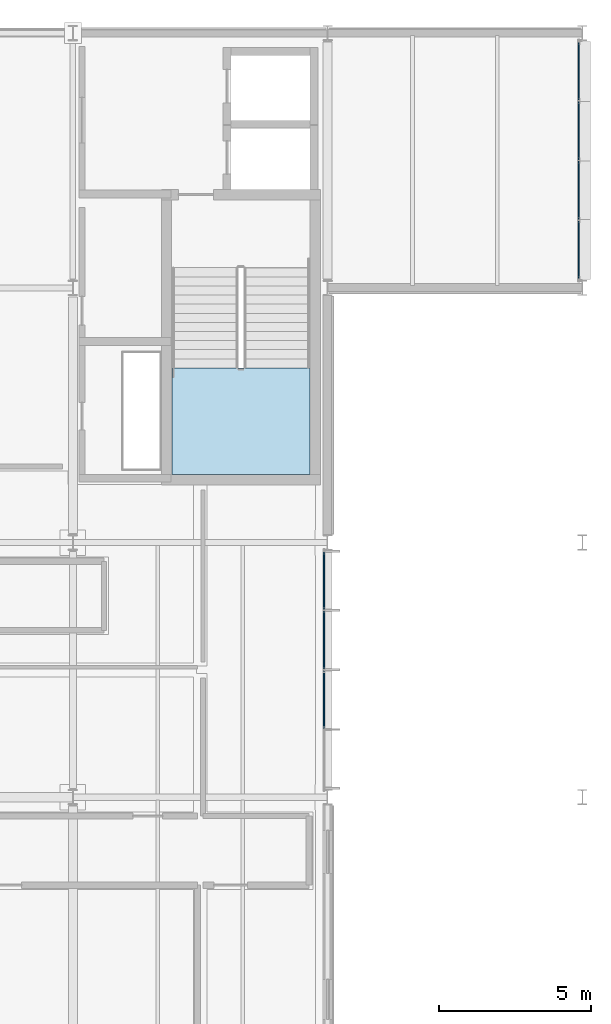
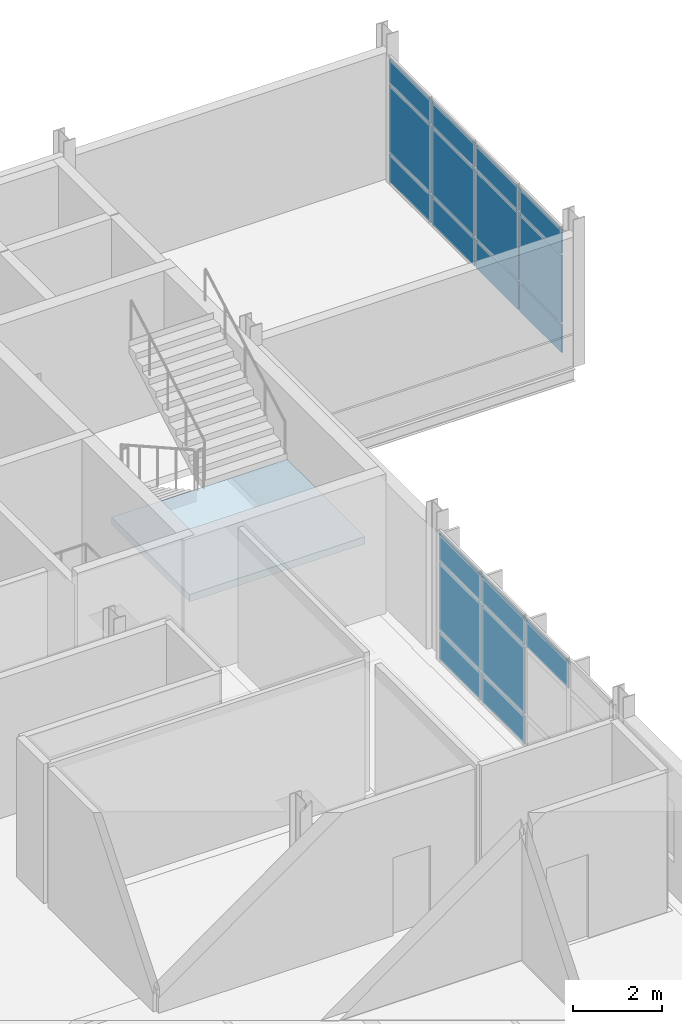
# One storey, part 117 of 151: 19 plates, 1 slab, 3 elements without a shape of their own.
"""IFC4 building model written with IfcOpenShell, lengths in metres."""

from ifc_helpers import new_model, si_unit, direction, frame, origin, origin_2d, place, context, subcontext, project, spatial, polyline, rectangle, outline, extrude, material, layer, layer_set, type_object, element, aggregate, save


model = new_model("IFC4")

# Units and contexts
model_context = context("Model", 3, precision=1e-05, world=origin(), true_north=direction((0.0, 1.0)))
body_context = subcontext(model_context, "Body", "Model", "MODEL_VIEW")
ifc_project = project(units=[si_unit("LENGTHUNIT", "METRE"), si_unit("AREAUNIT", "SQUARE_METRE"), si_unit("VOLUMEUNIT", "CUBIC_METRE"), si_unit("PLANEANGLEUNIT", "RADIAN"), si_unit("MASSUNIT", "GRAM", prefix="KILO")], contexts=[model_context])

# Site, building, storey
site_placement = place(None, origin())
site = spatial("IfcSite", under=ifc_project, at=site_placement, CompositionType="ELEMENT")
building_placement = place(site_placement, origin())
building = spatial("IfcBuilding", under=site, at=building_placement, Name="Mersafa Astral City Hall", CompositionType="ELEMENT")
storey_placement = place(building_placement, frame((0.0, 0.0, 9.89990234375)))
storey = spatial("IfcBuildingStorey", under=building, at=storey_placement, Name="L02", CompositionType="ELEMENT", Elevation=9.89990234375)

# Curtain wall, plates
ifc_material_1 = material(Name="Anodised bronze aluminium framing", Category="aluminium")
curtain_wall_type_1 = type_object("IfcCurtainWallType", Name="ENV-CW-1", PredefinedType="USERDEFINED", material=ifc_material_1)
curtain_wall_1_placement = place(storey_placement, origin())
curtain_wall_1 = element("IfcCurtainWall", 1, at=curtain_wall_1_placement, inside=storey, type_object=curtain_wall_type_1, Name="L02 Unitised solar curtain wall 126", ObjectType="UNITISED CURTAIN WALL", PredefinedType="USERDEFINED")
ifc_material_2 = material(Name="Solar control low-e double glazing", Category="glass")
ifc_layer_1 = layer(ifc_material_2, 0.035888671875, Name="Solar control low-e double glazing")
ifc_layer_set_1 = layer_set([ifc_layer_1], Name="Solar control low-e double glazing — ENV-CW-PNL-GLZ-3")
plate_type_1 = type_object("IfcPlateType", Name="ENV-CW-PNL-GLZ-3", PredefinedType="CURTAIN_PANEL", material=ifc_layer_set_1)
plate_1_placement = place(storey_placement, frame((176.280029296875, 104.015380859375, 2.7802734375), z_axis=(0.0, 0.0, 1.0), x_axis=(0.0, 1.0, 0.0)))
plate_1 = element("IfcPlate", 2, at=plate_1_placement, type_object=plate_type_1, Name="CW-1 panel 2.3", PredefinedType="CURTAIN_PANEL", context=body_context, shape_type="SweptSolid", body=[
    extrude(rectangle(XDim=1.908935546875, YDim=0.035888671875, at=origin_2d()), origin(), (0.0, 0.0, 1.0), 0.737060546875),
])
plate_2_placement = place(storey_placement, frame((176.280029296875, 105.984619140625, 0.05810546875), z_axis=(0.0, 0.0, 1.0), x_axis=(0.0, 1.0, 0.0)))
plate_2 = element("IfcPlate", 3, at=plate_2_placement, type_object=plate_type_1, Name="CW-1 panel 3.1", PredefinedType="CURTAIN_PANEL", context=body_context, shape_type="SweptSolid", body=[
    extrude(rectangle(XDim=1.908935546875, YDim=0.035888671875, at=origin_2d()), origin(), (0.0, 0.0, 1.0), 0.761962890625),
])
plate_3_placement = place(storey_placement, frame((176.280029296875, 105.984619140625, 0.8798828125), z_axis=(0.0, 0.0, 1.0), x_axis=(0.0, 1.0, 0.0)))
plate_3 = element("IfcPlate", 4, at=plate_3_placement, type_object=plate_type_1, Name="CW-1 panel 3.2", PredefinedType="CURTAIN_PANEL", context=body_context, shape_type="SweptSolid", body=[
    extrude(rectangle(XDim=1.908935546875, YDim=0.035888671875, at=origin_2d()), origin(), (0.0, 0.0, 1.0), 1.840087890625),
])
plate_4_placement = place(storey_placement, frame((176.280029296875, 105.984619140625, 2.7802734375), z_axis=(0.0, 0.0, 1.0), x_axis=(0.0, 1.0, 0.0)))
plate_4 = element("IfcPlate", 5, at=plate_4_placement, type_object=plate_type_1, Name="CW-1 panel 3.3", PredefinedType="CURTAIN_PANEL", context=body_context, shape_type="SweptSolid", body=[
    extrude(rectangle(XDim=1.908935546875, YDim=0.035888671875, at=origin_2d()), origin(), (0.0, 0.0, 1.0), 0.737060546875),
])
plate_5_placement = place(storey_placement, frame((176.280029296875, 107.9384765625, 0.05810546875), z_axis=(0.0, 0.0, 1.0), x_axis=(0.0, 1.0, 0.0)))
plate_5 = element("IfcPlate", 6, at=plate_5_placement, type_object=plate_type_1, Name="CW-1 panel 4.1", PredefinedType="CURTAIN_PANEL", context=body_context, shape_type="SweptSolid", body=[
    extrude(rectangle(XDim=1.87890625, YDim=0.035888671875, at=origin_2d()), origin(), (0.0, 0.0, 1.0), 0.761962890625),
])
plate_6_placement = place(storey_placement, frame((176.280029296875, 107.9384765625, 0.8798828125), z_axis=(0.0, 0.0, 1.0), x_axis=(0.0, 1.0, 0.0)))
plate_6 = element("IfcPlate", 7, at=plate_6_placement, type_object=plate_type_1, Name="CW-1 panel 4.2", PredefinedType="CURTAIN_PANEL", context=body_context, shape_type="SweptSolid", body=[
    extrude(rectangle(XDim=1.87890625, YDim=0.035888671875, at=origin_2d()), origin(), (0.0, 0.0, 1.0), 1.840087890625),
])
plate_7_placement = place(storey_placement, frame((176.280029296875, 107.9384765625, 2.7802734375), z_axis=(0.0, 0.0, 1.0), x_axis=(0.0, 1.0, 0.0)))
plate_7 = element("IfcPlate", 8, at=plate_7_placement, type_object=plate_type_1, Name="CW-1 panel 4.3", PredefinedType="CURTAIN_PANEL", context=body_context, shape_type="SweptSolid", body=[
    extrude(rectangle(XDim=1.87890625, YDim=0.035888671875, at=origin_2d()), origin(), (0.0, 0.0, 1.0), 0.737060546875),
])
aggregate(curtain_wall_1, [plate_1, plate_2, plate_3, plate_4, plate_5, plate_6, plate_7])

curtain_wall_type_2 = type_object("IfcCurtainWallType", Name="ENV-CW-2", PredefinedType="USERDEFINED", material=ifc_material_1)
curtain_wall_2_placement = place(storey_placement, origin())
curtain_wall_2 = element("IfcCurtainWall", 9, at=curtain_wall_2_placement, inside=storey, type_object=curtain_wall_type_2, Name="L02 Unitised solar curtain wall 127", ObjectType="UNITISED CURTAIN WALL", PredefinedType="USERDEFINED")
ifc_layer_2 = layer(ifc_material_2, 0.0400390625, Name="Solar control low-e double glazing")
ifc_layer_set_2 = layer_set([ifc_layer_2], Name="Solar control low-e double glazing — ENV-CW-PNL-GLZ-4")
plate_type_2 = type_object("IfcPlateType", Name="ENV-CW-PNL-GLZ-4", PredefinedType="CURTAIN_PANEL", material=ifc_layer_set_2)
plate_8_placement = place(storey_placement, frame((184.679931640625, 118.861572265625, 0.05810546875), z_axis=(0.0, 0.0, 1.0), x_axis=(0.0, 1.0, 0.0)))
plate_8 = element("IfcPlate", 10, at=plate_8_placement, type_object=plate_type_2, Name="CW-2 panel 1.1", PredefinedType="CURTAIN_PANEL", context=body_context, shape_type="SweptSolid", body=[
    extrude(rectangle(XDim=1.87890625, YDim=0.0400390625, at=origin_2d()), origin(), (0.0, 0.0, 1.0), 0.761962890625),
])
plate_9_placement = place(storey_placement, frame((184.679931640625, 118.861572265625, 0.8798828125), z_axis=(0.0, 0.0, 1.0), x_axis=(0.0, 1.0, 0.0)))
plate_9 = element("IfcPlate", 11, at=plate_9_placement, type_object=plate_type_2, Name="CW-2 panel 1.2", PredefinedType="CURTAIN_PANEL", context=body_context, shape_type="SweptSolid", body=[
    extrude(rectangle(XDim=1.87890625, YDim=0.0400390625, at=origin_2d()), origin(), (0.0, 0.0, 1.0), 1.840087890625),
])
plate_10_placement = place(storey_placement, frame((184.679931640625, 118.861572265625, 2.780029296875), z_axis=(0.0, 0.0, 1.0), x_axis=(0.0, 1.0, 0.0)))
plate_10 = element("IfcPlate", 12, at=plate_10_placement, type_object=plate_type_2, Name="CW-2 panel 1.3", PredefinedType="CURTAIN_PANEL", context=body_context, shape_type="SweptSolid", body=[
    extrude(rectangle(XDim=1.87890625, YDim=0.0400390625, at=origin_2d()), origin(), (0.0, 0.0, 1.0), 0.64697265625),
])
plate_11_placement = place(storey_placement, frame((184.679931640625, 120.8154296875, 0.05810546875), z_axis=(0.0, 0.0, 1.0), x_axis=(0.0, 1.0, 0.0)))
plate_11 = element("IfcPlate", 13, at=plate_11_placement, type_object=plate_type_2, Name="CW-2 panel 2.1", PredefinedType="CURTAIN_PANEL", context=body_context, shape_type="SweptSolid", body=[
    extrude(rectangle(XDim=1.908935546875, YDim=0.0400390625, at=origin_2d()), origin(), (0.0, 0.0, 1.0), 0.761962890625),
])
plate_12_placement = place(storey_placement, frame((184.679931640625, 120.8154296875, 0.8798828125), z_axis=(0.0, 0.0, 1.0), x_axis=(0.0, 1.0, 0.0)))
plate_12 = element("IfcPlate", 14, at=plate_12_placement, type_object=plate_type_2, Name="CW-2 panel 2.2", PredefinedType="CURTAIN_PANEL", context=body_context, shape_type="SweptSolid", body=[
    extrude(rectangle(XDim=1.908935546875, YDim=0.0400390625, at=origin_2d()), origin(), (0.0, 0.0, 1.0), 1.840087890625),
])
plate_13_placement = place(storey_placement, frame((184.679931640625, 120.8154296875, 2.780029296875), z_axis=(0.0, 0.0, 1.0), x_axis=(0.0, 1.0, 0.0)))
plate_13 = element("IfcPlate", 15, at=plate_13_placement, type_object=plate_type_2, Name="CW-2 panel 2.3", PredefinedType="CURTAIN_PANEL", context=body_context, shape_type="SweptSolid", body=[
    extrude(rectangle(XDim=1.908935546875, YDim=0.0400390625, at=origin_2d()), origin(), (0.0, 0.0, 1.0), 0.64697265625),
])
plate_14_placement = place(storey_placement, frame((184.679931640625, 122.784423828125, 0.05810546875), z_axis=(0.0, 0.0, 1.0), x_axis=(0.0, 1.0, 0.0)))
plate_14 = element("IfcPlate", 16, at=plate_14_placement, type_object=plate_type_2, Name="CW-2 panel 3.1", PredefinedType="CURTAIN_PANEL", context=body_context, shape_type="SweptSolid", body=[
    extrude(rectangle(XDim=1.908935546875, YDim=0.0400390625, at=origin_2d()), origin(), (0.0, 0.0, 1.0), 0.761962890625),
])
plate_15_placement = place(storey_placement, frame((184.679931640625, 122.784423828125, 0.8798828125), z_axis=(0.0, 0.0, 1.0), x_axis=(0.0, 1.0, 0.0)))
plate_15 = element("IfcPlate", 17, at=plate_15_placement, type_object=plate_type_2, Name="CW-2 panel 3.2", PredefinedType="CURTAIN_PANEL", context=body_context, shape_type="SweptSolid", body=[
    extrude(rectangle(XDim=1.908935546875, YDim=0.0400390625, at=origin_2d()), origin(), (0.0, 0.0, 1.0), 1.840087890625),
])
plate_16_placement = place(storey_placement, frame((184.679931640625, 122.784423828125, 2.780029296875), z_axis=(0.0, 0.0, 1.0), x_axis=(0.0, 1.0, 0.0)))
plate_16 = element("IfcPlate", 18, at=plate_16_placement, type_object=plate_type_2, Name="CW-2 panel 3.3", PredefinedType="CURTAIN_PANEL", context=body_context, shape_type="SweptSolid", body=[
    extrude(rectangle(XDim=1.908935546875, YDim=0.0400390625, at=origin_2d()), origin(), (0.0, 0.0, 1.0), 0.64697265625),
])
plate_17_placement = place(storey_placement, frame((184.679931640625, 124.738525390625, 0.05810546875), z_axis=(0.0, 0.0, 1.0), x_axis=(0.0, 1.0, 0.0)))
plate_17 = element("IfcPlate", 19, at=plate_17_placement, type_object=plate_type_2, Name="CW-2 panel 4.1", PredefinedType="CURTAIN_PANEL", context=body_context, shape_type="SweptSolid", body=[
    extrude(rectangle(XDim=1.87890625, YDim=0.0400390625, at=origin_2d()), origin(), (0.0, 0.0, 1.0), 0.761962890625),
])
plate_18_placement = place(storey_placement, frame((184.679931640625, 124.738525390625, 0.8798828125), z_axis=(0.0, 0.0, 1.0), x_axis=(0.0, 1.0, 0.0)))
plate_18 = element("IfcPlate", 20, at=plate_18_placement, type_object=plate_type_2, Name="CW-2 panel 4.2", PredefinedType="CURTAIN_PANEL", context=body_context, shape_type="SweptSolid", body=[
    extrude(rectangle(XDim=1.87890625, YDim=0.0400390625, at=origin_2d()), origin(), (0.0, 0.0, 1.0), 1.840087890625),
])
plate_19_placement = place(storey_placement, frame((184.679931640625, 124.738525390625, 2.780029296875), z_axis=(0.0, 0.0, 1.0), x_axis=(0.0, 1.0, 0.0)))
plate_19 = element("IfcPlate", 21, at=plate_19_placement, type_object=plate_type_2, Name="CW-2 panel 4.3", PredefinedType="CURTAIN_PANEL", context=body_context, shape_type="SweptSolid", body=[
    extrude(rectangle(XDim=1.87890625, YDim=0.0400390625, at=origin_2d()), origin(), (0.0, 0.0, 1.0), 0.64697265625),
])
aggregate(curtain_wall_2, [plate_8, plate_9, plate_10, plate_11, plate_12, plate_13, plate_14, plate_15, plate_16, plate_17, plate_18, plate_19])

# Stair, slab
ifc_material_3 = material(Name="Concrete C40/50", Category="concrete")
stair_type = type_object("IfcStairType", Name="STAIR", PredefinedType="HALF_TURN_STAIR", material=ifc_material_3)
stair_placement = place(storey_placement, origin())
stair = element("IfcStair", 22, at=stair_placement, inside=storey, type_object=stair_type, Name="L02 Protected Exit Stair ST2", PredefinedType="HALF_TURN_STAIR")
ifc_layer_3 = layer(ifc_material_3, 0.199951171875, Name="Concrete C40/50")
ifc_layer_set_3 = layer_set([ifc_layer_3], Name="Concrete C40/50 — STAIR-LANDING")
slab_type = type_object("IfcSlabType", Name="STAIR-LANDING", PredefinedType="LANDING", material=ifc_layer_set_3)
slab_placement = place(storey_placement, frame((0.0, 0.0, 1.8251953125)))
slab = element("IfcSlab", 23, at=slab_placement, type_object=slab_type, Name="ST2 landing 1", PredefinedType="LANDING", context=body_context, shape_type="SweptSolid", body=[
    extrude(outline(polyline([(171.260009765625, 114.9599609375), (171.260009765625, 111.449951171875), (175.820068359375, 111.449951171875), (175.820068359375, 114.9599609375), (171.260009765625, 114.9599609375)])), origin(), (0.0, 0.0, 1.0), 0.199951171875),
])
aggregate(stair, [slab])

save(model, "model.ifc")
